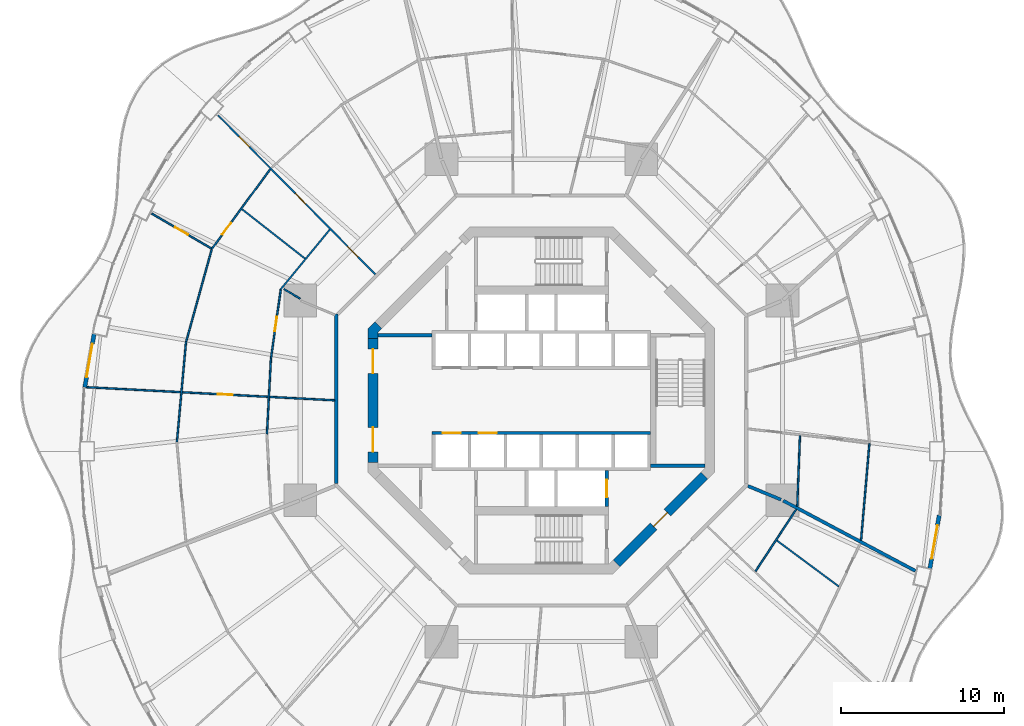
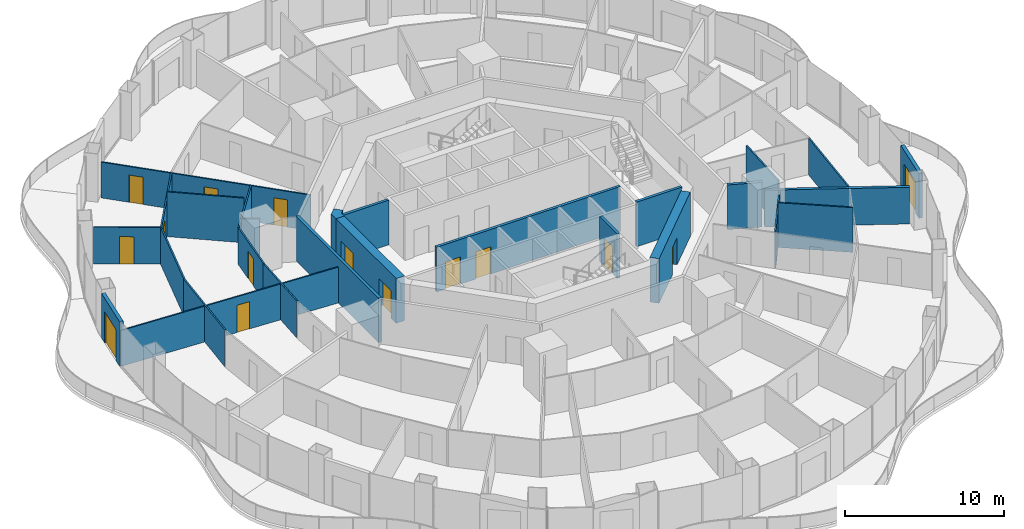
# One storey, part 14 of 20: 27 walls, 15 doors, 15 openings.
"""IFC4 building model written with IfcOpenShell, lengths in metres."""

from ifc_helpers import new_model, si_unit, direction, frame, frame_2d, origin, place, context, subcontext, project, spatial, polyline, rectangle, outline, extrude, material, layer, layer_set, type_object, element, fill, save


model = new_model("IFC4")

# Units and contexts
model_context = context("Model", 3, precision=1e-05, world=origin(), true_north=direction((0.0, 1.0)))
body_context = subcontext(model_context, "Body", "Model", "MODEL_VIEW")
ifc_project = project(units=[si_unit("LENGTHUNIT", "METRE"), si_unit("AREAUNIT", "SQUARE_METRE"), si_unit("VOLUMEUNIT", "CUBIC_METRE"), si_unit("PLANEANGLEUNIT", "RADIAN"), si_unit("MASSUNIT", "GRAM", prefix="KILO")], contexts=[model_context])

# Site, building, storey
site_placement = place(None, origin())
site = spatial("IfcSite", under=ifc_project, at=site_placement, CompositionType="ELEMENT")
building_placement = place(site_placement, origin())
building = spatial("IfcBuilding", under=site, at=building_placement, Name="Nagisa Residences", CompositionType="ELEMENT")
storey_placement = place(building_placement, frame((0.0, 0.0, 152.89990234375)))
storey = spatial("IfcBuildingStorey", under=building, at=storey_placement, Name="L38", CompositionType="ELEMENT", Elevation=152.89990234375)

# Walls
ifc_material_1 = material(Name="Gypsum board on steel studs", Category="steel")
ifc_layer_1 = layer(ifc_material_1, 0.199951171875)
ifc_layer_set_1 = layer_set([ifc_layer_1], Name="Apartment compartment wall EI60 200")
wall_type_1 = type_object("IfcWallType", Name="Apartment compartment wall EI60 200", PredefinedType="PARTITIONING", material=ifc_layer_set_1)
wall_1_placement = place(storey_placement, frame((12.6572265625, -5.24267578125, 0.0), z_axis=(0.0, 0.0, 1.0), x_axis=(0.923846436004, -0.382763324632, 0.0)))
element("IfcWall", 1, at=wall_1_placement, inside=storey, type_object=wall_type_1, Name="wall:L38:u10", PredefinedType="PARTITIONING", context=body_context, shape_type="SweptSolid", body=[
    extrude(rectangle(XDim=2.200439453125, YDim=0.199951171875, at=frame_2d((1.10009765625, 0.0))), origin(), (0.0, 0.0, 1.0), 3.440185546875),
])
wall_2_placement = place(storey_placement, frame((14.826171875, -6.146484375, 0.0), z_axis=(0.0, 0.0, 1.0), x_axis=(0.883012998471, -0.469348532044, 0.0)))
element("IfcWall", 2, at=wall_2_placement, inside=storey, type_object=wall_type_1, Name="wall:L38:u11", PredefinedType="PARTITIONING", context=body_context, shape_type="SweptSolid", body=[
    extrude(rectangle(XDim=9.172119140625, YDim=0.199951171875, at=frame_2d((4.5859375, 0.0))), origin(), (0.0, 0.0, 1.0), 2.828125),
])
ifc_material_2 = material(Name="Gypsum board on steel studs", Category="steel")
ifc_layer_2 = layer(ifc_material_2, 0.199951171875)
ifc_layer_set_2 = layer_set([ifc_layer_2], Name="Apartment entry wall EI60 200")
wall_type_2 = type_object("IfcWallType", Name="Apartment entry wall EI60 200", PredefinedType="PARTITIONING", material=ifc_layer_set_2)
wall_3_placement = place(storey_placement, frame((-12.564697265625, 5.304443359375, 0.0), z_axis=(0.0, 0.0, 1.0), x_axis=(0.0, -1.0, 0.0)))
element("IfcWall", 3, at=wall_3_placement, inside=storey, type_object=wall_type_2, Name="wall:L38:u16", PredefinedType="PARTITIONING", context=body_context, shape_type="SweptSolid", body=[
    extrude(rectangle(XDim=10.408935546875, YDim=0.199951171875, at=frame_2d((5.20458984375, 0.0))), origin(), (0.0, 0.0, 1.0), 3.440185546875),
])
ifc_material_3 = material(Name="Gypsum board on steel studs", Category="steel")
ifc_layer_3 = layer(ifc_material_3, 0.10009765625)
ifc_layer_set_3 = layer_set([ifc_layer_3], Name="Apartment partition 100")
wall_type_3 = type_object("IfcWallType", Name="Apartment partition 100", PredefinedType="PARTITIONING", material=ifc_layer_set_3)
wall_4_placement = place(storey_placement, frame((15.848876953125, -2.158203125, 0.0), z_axis=(0.0, 0.0, 1.0), x_axis=(-0.03838348155, -0.999263082648, 0.0)))
element("IfcWall", 4, at=wall_4_placement, inside=storey, type_object=wall_type_3, Name="wall:L38:u21", PredefinedType="PARTITIONING", context=body_context, shape_type="SweptSolid", body=[
    extrude(rectangle(XDim=4.34423828125, YDim=0.10009765625, at=frame_2d((2.172119140625, 0.0))), origin(), (0.0, 0.0, 1.0), 3.440185546875),
])
wall_5_placement = place(storey_placement, frame((20.10595703125, -2.64208984375, 0.0), z_axis=(0.0, 0.0, 1.0), x_axis=(-0.085694058383, -0.996321498492, 0.0)))
element("IfcWall", 5, at=wall_5_placement, inside=storey, type_object=wall_type_3, Name="wall:L38:u23", PredefinedType="PARTITIONING", context=body_context, shape_type="SweptSolid", body=[
    extrude(rectangle(XDim=5.957275390625, YDim=0.10009765625, at=frame_2d((2.978515625, 0.0))), origin(), (0.0, 0.0, 1.0), 2.828125),
])

# Wall, openings, doors
wall_6_placement = place(storey_placement, frame((-10.181640625, 7.72900390625, 0.0), z_axis=(0.0, 0.0, 1.0), x_axis=(-0.702930219229, 0.7112588185, 0.0)))
wall_6 = element("IfcWall", 6, at=wall_6_placement, inside=storey, type_object=wall_type_3, Name="wall:L38:u47", PredefinedType="PARTITIONING", context=body_context, shape_type="SweptSolid", body=[
    extrude(rectangle(XDim=13.71875, YDim=0.10009765625, at=frame_2d((6.859375, 0.0))), origin(), (0.0, 0.0, 1.0), 2.756103515625),
])
opening_1_placement = place(wall_6_placement, frame((1.50732421875, 0.0, 0.0)))
opening_1 = element("IfcOpeningElement", 7, at=opening_1_placement, cuts=wall_6, Name="Opening L38-U34", PredefinedType="OPENING", context=body_context, shape_type="SweptSolid", body=[
    extrude(rectangle(XDim=0.89990234375, YDim=2.10009765625, at=frame_2d((0.449951171875, 1.050048828125))), frame((0.0, 0.06005859375, 0.0), z_axis=(0.0, -1.0, 0.0), x_axis=(1.0, 0.0, 0.0)), (0.0, 0.0, 1.0), 0.1201171875),
])
opening_2_placement = place(wall_6_placement, frame((6.066650390625, 0.0, 0.0)))
opening_2 = element("IfcOpeningElement", 8, at=opening_2_placement, cuts=wall_6, Name="Opening L38-U36", PredefinedType="OPENING", context=body_context, shape_type="SweptSolid", body=[
    extrude(rectangle(XDim=0.89990234375, YDim=2.10009765625, at=frame_2d((0.449951171875, 1.050048828125))), frame((0.0, 0.06005859375, 0.0), z_axis=(0.0, -1.0, 0.0), x_axis=(1.0, 0.0, 0.0)), (0.0, 0.0, 1.0), 0.1201171875),
])
opening_3_placement = place(wall_6_placement, frame((10.96875, 0.0, 0.0)))
opening_3 = element("IfcOpeningElement", 9, at=opening_3_placement, cuts=wall_6, Name="Opening L38-U38", PredefinedType="OPENING", context=body_context, shape_type="SweptSolid", body=[
    extrude(rectangle(XDim=0.89990234375, YDim=2.10009765625, at=frame_2d((0.449951171875, 1.050048828125))), frame((0.0, 0.06005859375, 0.0), z_axis=(0.0, -1.0, 0.0), x_axis=(1.0, 0.0, 0.0)), (0.0, 0.0, 1.0), 0.1201171875),
])
ifc_material_4 = material(Name="Timber door set", Category="wood")
door_type_1 = type_object("IfcDoorType", Name="Apartment door 900x2100", OperationType="NOTDEFINED", PredefinedType="DOOR", material=ifc_material_4)
door_1_placement = place(opening_1_placement, origin())
door_1 = element("IfcDoor", 10, at=door_1_placement, inside=storey, type_object=door_type_1, Name="Door to family bathroom, Apartment 38E", OperationType="SINGLE_SWING_RIGHT", OverallHeight=2.10009765625, OverallWidth=0.89990234375, PredefinedType="DOOR", context=body_context, shape_type="SweptSolid", body=[
    extrude(rectangle(XDim=0.89990234375, YDim=2.10009765625, at=frame_2d((0.449951171875, 1.050048828125))), frame((0.0, 0.02490234375, 0.0), z_axis=(0.0, -1.0, 0.0), x_axis=(1.0, 0.0, 0.0)), (0.0, 0.0, 1.0), 0.050048828125),
])
fill(opening_1, door_1)
door_2_placement = place(opening_2_placement, origin())
door_2 = element("IfcDoor", 11, at=door_2_placement, inside=storey, type_object=door_type_1, Name="Door to family bathroom, Apartment 38E", OperationType="SINGLE_SWING_RIGHT", OverallHeight=2.10009765625, OverallWidth=0.89990234375, PredefinedType="DOOR", context=body_context, shape_type="SweptSolid", body=[
    extrude(rectangle(XDim=0.89990234375, YDim=2.10009765625, at=frame_2d((0.449951171875, 1.050048828125))), frame((0.0, 0.02490234375, 0.0), z_axis=(0.0, -1.0, 0.0), x_axis=(1.0, 0.0, 0.0)), (0.0, 0.0, 1.0), 0.050048828125),
])
fill(opening_2, door_2)
door_3_placement = place(opening_3_placement, origin())
door_3 = element("IfcDoor", 12, at=door_3_placement, inside=storey, type_object=door_type_1, Name="Door to bedroom, Apartment 38E", OperationType="SINGLE_SWING_RIGHT", OverallHeight=2.10009765625, OverallWidth=0.89990234375, PredefinedType="DOOR", context=body_context, shape_type="SweptSolid", body=[
    extrude(rectangle(XDim=0.89990234375, YDim=2.10009765625, at=frame_2d((0.449951171875, 1.050048828125))), frame((0.0, 0.02490234375, 0.0), z_axis=(0.0, -1.0, 0.0), x_axis=(1.0, 0.0, 0.0)), (0.0, 0.0, 1.0), 0.050048828125),
])
fill(opening_3, door_3)

# Wall
wall_7_placement = place(storey_placement, frame((-12.965087890625, 10.474609375, 0.0), z_axis=(0.0, 0.0, 1.0), x_axis=(-0.634932102074, -0.772567942485, 0.0)))
element("IfcWall", 13, at=wall_7_placement, inside=storey, type_object=wall_type_3, Name="wall:L38:u48", PredefinedType="PARTITIONING", context=body_context, shape_type="SweptSolid", body=[
    extrude(rectangle(XDim=4.7822265625, YDim=0.10009765625, at=frame_2d((2.39111328125, 0.0))), origin(), (0.0, 0.0, 1.0), 2.828125),
])

# Wall, opening, door
wall_8_placement = place(storey_placement, frame((-16.620849609375, 14.17431640625, 0.0), z_axis=(0.0, 0.0, 1.0), x_axis=(-0.590672767272, -0.806911198338, 0.0)))
wall_8 = element("IfcWall", 14, at=wall_8_placement, inside=storey, type_object=wall_type_3, Name="wall:L38:u49", PredefinedType="PARTITIONING", context=body_context, shape_type="SweptSolid", body=[
    extrude(rectangle(XDim=6.09912109375, YDim=0.10009765625, at=frame_2d((3.049560546875, 0.0))), origin(), (0.0, 0.0, 1.0), 2.828125),
])
opening_4_placement = place(wall_8_placement, frame((4.07421875, 0.0, 0.0)))
opening_4 = element("IfcOpeningElement", 15, at=opening_4_placement, cuts=wall_8, Name="Opening L38-U40", PredefinedType="OPENING", context=body_context, shape_type="SweptSolid", body=[
    extrude(rectangle(XDim=0.89990234375, YDim=2.10009765625, at=frame_2d((0.449951171875, 1.050048828125))), frame((0.0, 0.06005859375, 0.0), z_axis=(0.0, -1.0, 0.0), x_axis=(1.0, 0.0, 0.0)), (0.0, 0.0, 1.0), 0.1201171875),
])
door_4_placement = place(opening_4_placement, origin())
door_4 = element("IfcDoor", 16, at=door_4_placement, inside=storey, type_object=door_type_1, Name="Door to dining room, Apartment 38E", OperationType="SINGLE_SWING_RIGHT", OverallHeight=2.10009765625, OverallWidth=0.89990234375, PredefinedType="DOOR", context=body_context, shape_type="SweptSolid", body=[
    extrude(rectangle(XDim=0.89990234375, YDim=2.10009765625, at=frame_2d((0.449951171875, 1.050048828125))), frame((0.0, 0.02490234375, 0.0), z_axis=(0.0, -1.0, 0.0), x_axis=(1.0, 0.0, 0.0)), (0.0, 0.0, 1.0), 0.050048828125),
])
fill(opening_4, door_4)

# Wall
wall_9_placement = place(storey_placement, frame((-14.490966796875, 8.69677734375, 0.0), z_axis=(0.0, 0.0, 1.0), x_axis=(-0.787139479951, 0.616775031193, 0.0)))
element("IfcWall", 17, at=wall_9_placement, inside=storey, type_object=wall_type_3, Name="wall:L38:u50", PredefinedType="PARTITIONING", context=body_context, shape_type="SweptSolid", body=[
    extrude(rectangle(XDim=4.90673828125, YDim=0.10009765625, at=frame_2d((2.453369140625, 0.0))), origin(), (0.0, 0.0, 1.0), 3.440185546875),
])

# Wall, opening, door
wall_10_placement = place(storey_placement, frame((-15.976806640625, 6.769287109375, 0.0), z_axis=(0.0, 0.0, 1.0), x_axis=(-0.140693592547, -0.990053186963, 0.0)))
wall_10 = element("IfcWall", 18, at=wall_10_placement, inside=storey, type_object=wall_type_3, Name="wall:L38:u52", PredefinedType="PARTITIONING", context=body_context, shape_type="SweptSolid", body=[
    extrude(rectangle(XDim=4.22705078125, YDim=0.10009765625, at=frame_2d((2.113525390625, 0.0))), origin(), (0.0, 0.0, 1.0), 2.828125),
])
opening_5_placement = place(wall_10_placement, frame((1.66357421875, 0.0, 0.0)))
opening_5 = element("IfcOpeningElement", 19, at=opening_5_placement, cuts=wall_10, Name="Opening L38-U43", PredefinedType="OPENING", context=body_context, shape_type="SweptSolid", body=[
    extrude(rectangle(XDim=0.89990234375, YDim=2.10009765625, at=frame_2d((0.449951171875, 1.050048828125))), frame((0.0, 0.06005859375, 0.0), z_axis=(0.0, -1.0, 0.0), x_axis=(1.0, 0.0, 0.0)), (0.0, 0.0, 1.0), 0.1201171875),
])
door_5_placement = place(opening_5_placement, origin())
door_5 = element("IfcDoor", 20, at=door_5_placement, inside=storey, type_object=door_type_1, Name="Door to store, Apartment 38E", OperationType="SINGLE_SWING_LEFT", OverallHeight=2.10009765625, OverallWidth=0.89990234375, PredefinedType="DOOR", context=body_context, shape_type="SweptSolid", body=[
    extrude(rectangle(XDim=0.89990234375, YDim=2.10009765625, at=frame_2d((0.449951171875, 1.050048828125))), frame((0.0, 0.02490234375, 0.0), z_axis=(0.0, -1.0, 0.0), x_axis=(1.0, 0.0, 0.0)), (0.0, 0.0, 1.0), 0.050048828125),
])
fill(opening_5, door_5)

wall_11_placement = place(storey_placement, frame((-20.237060546875, 9.318603515625, 0.0), z_axis=(0.0, 0.0, 1.0), x_axis=(-0.862867843769, 0.505429603593, 0.0)))
wall_11 = element("IfcWall", 21, at=wall_11_placement, inside=storey, type_object=wall_type_3, Name="wall:L38:u53", PredefinedType="PARTITIONING", context=body_context, shape_type="SweptSolid", body=[
    extrude(rectangle(XDim=4.215087890625, YDim=0.10009765625, at=frame_2d((2.107421875, 0.0))), origin(), (0.0, 0.0, 1.0), 2.828125),
])
opening_6_placement = place(wall_11_placement, frame((1.65771484375, 0.0, 0.0)))
opening_6 = element("IfcOpeningElement", 22, at=opening_6_placement, cuts=wall_11, Name="Opening L38-U39", PredefinedType="OPENING", context=body_context, shape_type="SweptSolid", body=[
    extrude(rectangle(XDim=0.89990234375, YDim=2.10009765625, at=frame_2d((0.449951171875, 1.050048828125))), frame((0.0, 0.06005859375, 0.0), z_axis=(0.0, -1.0, 0.0), x_axis=(1.0, 0.0, 0.0)), (0.0, 0.0, 1.0), 0.1201171875),
])
door_6_placement = place(opening_6_placement, origin())
door_6 = element("IfcDoor", 23, at=door_6_placement, inside=storey, type_object=door_type_1, Name="Door to master bedroom, Apartment 38E", OperationType="SINGLE_SWING_LEFT", OverallHeight=2.10009765625, OverallWidth=0.89990234375, PredefinedType="DOOR", context=body_context, shape_type="SweptSolid", body=[
    extrude(rectangle(XDim=0.89990234375, YDim=2.10009765625, at=frame_2d((0.449951171875, 1.050048828125))), frame((0.0, 0.02490234375, 0.0), z_axis=(0.0, -1.0, 0.0), x_axis=(1.0, 0.0, 0.0)), (0.0, 0.0, 1.0), 0.050048828125),
])
fill(opening_6, door_6)

# Walls
wall_12_placement = place(storey_placement, frame((-20.207275390625, 9.2451171875, 0.0), z_axis=(0.0, 0.0, 1.0), x_axis=(-0.267400122135, -0.963585582438, 0.0)))
element("IfcWall", 24, at=wall_12_placement, inside=storey, type_object=wall_type_3, Name="wall:L38:u54", PredefinedType="PARTITIONING", context=body_context, shape_type="SweptSolid", body=[
    extrude(rectangle(XDim=5.837890625, YDim=0.10009765625, at=frame_2d((2.9189453125, 0.0))), origin(), (0.0, 0.0, 1.0), 2.828125),
])
wall_13_placement = place(storey_placement, frame((-16.575927734375, 2.584716796875, 0.0), z_axis=(0.0, 0.0, 1.0), x_axis=(-0.052509224895, -0.998620439056, 0.0)))
element("IfcWall", 25, at=wall_13_placement, inside=storey, type_object=wall_type_3, Name="wall:L38:u55", PredefinedType="PARTITIONING", context=body_context, shape_type="SweptSolid", body=[
    extrude(rectangle(XDim=4.6494140625, YDim=0.10009765625, at=frame_2d((2.32470703125, 0.0))), origin(), (0.0, 0.0, 1.0), 2.828125),
])
wall_14_placement = place(storey_placement, frame((-21.777099609375, 3.621337890625, 0.0), z_axis=(0.0, 0.0, 1.0), x_axis=(-0.090606877484, -0.995886737412, 0.0)))
element("IfcWall", 26, at=wall_14_placement, inside=storey, type_object=wall_type_3, Name="wall:L38:u56", PredefinedType="PARTITIONING", context=body_context, shape_type="SweptSolid", body=[
    extrude(rectangle(XDim=6.189208984375, YDim=0.10009765625, at=frame_2d((3.0947265625, 0.0))), origin(), (0.0, 0.0, 1.0), 2.828125),
])

# Wall, opening, door
wall_15_placement = place(storey_placement, frame((-12.66455078125, 0.00537109375, 0.0), z_axis=(0.0, 0.0, 1.0), x_axis=(-0.998599229025, 0.052911055468, 0.0)))
wall_15 = element("IfcWall", 27, at=wall_15_placement, inside=storey, type_object=wall_type_3, Name="wall:L38:u57", PredefinedType="PARTITIONING", context=body_context, shape_type="SweptSolid", body=[
    extrude(rectangle(XDim=15.42529296875, YDim=0.10009765625, at=frame_2d((7.712646484375, 0.0))), origin(), (0.0, 0.0, 1.0), 2.756103515625),
])
opening_7_placement = place(wall_15_placement, frame((6.275634765625, 0.0, 0.0)))
opening_7 = element("IfcOpeningElement", 28, at=opening_7_placement, cuts=wall_15, Name="Opening L38-U41", PredefinedType="OPENING", context=body_context, shape_type="SweptSolid", body=[
    extrude(rectangle(XDim=0.89990234375, YDim=2.10009765625, at=frame_2d((0.449951171875, 1.050048828125))), frame((0.0, 0.06005859375, 0.0), z_axis=(0.0, -1.0, 0.0), x_axis=(1.0, 0.0, 0.0)), (0.0, 0.0, 1.0), 0.1201171875),
])
door_7_placement = place(opening_7_placement, origin())
door_7 = element("IfcDoor", 29, at=door_7_placement, inside=storey, type_object=door_type_1, Name="Door to kitchen, Apartment 38E", OperationType="SINGLE_SWING_LEFT", OverallHeight=2.10009765625, OverallWidth=0.89990234375, PredefinedType="DOOR", context=body_context, shape_type="SweptSolid", body=[
    extrude(rectangle(XDim=0.89990234375, YDim=2.10009765625, at=frame_2d((0.449951171875, 1.050048828125))), frame((0.0, 0.02490234375, 0.0), z_axis=(0.0, -1.0, 0.0), x_axis=(1.0, 0.0, 0.0)), (0.0, 0.0, 1.0), 0.050048828125),
])
fill(opening_7, door_7)

# Walls
wall_16_placement = place(storey_placement, frame((13.12744140625, -10.466552734375, 0.0), z_axis=(0.0, 0.0, 1.0), x_axis=(0.550591551401, 0.83477478611, 0.0)))
element("IfcWall", 30, at=wall_16_placement, inside=storey, type_object=wall_type_3, Name="wall:L38:u88", PredefinedType="PARTITIONING", context=body_context, shape_type="SweptSolid", body=[
    extrude(rectangle(XDim=4.532470703125, YDim=0.10009765625, at=frame_2d((2.26611328125, 0.0))), origin(), (0.0, 0.0, 1.0), 2.828125),
])
wall_17_placement = place(storey_placement, frame((14.42919921875, -8.58349609375, 0.0), z_axis=(0.0, 0.0, 1.0), x_axis=(0.803162355549, -0.595760212358, 0.0)))
element("IfcWall", 31, at=wall_17_placement, inside=storey, type_object=wall_type_3, Name="wall:L38:u90", PredefinedType="PARTITIONING", context=body_context, shape_type="SweptSolid", body=[
    extrude(rectangle(XDim=4.7451171875, YDim=0.10009765625, at=frame_2d((2.37255859375, 0.0))), origin(), (0.0, 0.0, 1.0), 3.440185546875),
])
wall_18_placement = place(storey_placement, frame((-14.772216796875, 6.233154296875, 0.0), z_axis=(0.0, 0.0, 1.0), x_axis=(-0.862824428323, 0.50550371501, 0.0)))
element("IfcWall", 32, at=wall_18_placement, inside=storey, type_object=wall_type_3, Name="wall:L38:u91", PredefinedType="PARTITIONING", context=body_context, shape_type="SweptSolid", body=[
    extrude(rectangle(XDim=1.16162109375, YDim=0.10009765625, at=frame_2d((0.580810546875, 0.0))), origin(), (0.0, 0.0, 1.0), 3.440185546875),
])

# Wall, opening, door
ifc_material_5 = material(Name="Precast concrete C40/50", Category="concrete")
ifc_layer_4 = layer(ifc_material_5, 0.25)
ifc_layer_set_4 = layer_set([ifc_layer_4], Name="BALCONY DOOR WALL 250")
wall_type_4 = type_object("IfcWallType", Name="BALCONY DOOR WALL 250", PredefinedType="SOLIDWALL", material=ifc_layer_set_4)
wall_19_placement = place(storey_placement, frame((-27.98486328125, 0.802001953125, 0.0), z_axis=(0.0, 0.0, 1.0), x_axis=(0.172163521006, 0.985068384446, 0.0)))
wall_19 = element("IfcWall", 33, at=wall_19_placement, inside=storey, type_object=wall_type_4, Name="wall:L38:bay22", PredefinedType="SOLIDWALL", context=body_context, shape_type="SweptSolid", body=[
    extrude(rectangle(XDim=3.33251953125, YDim=0.25, at=frame_2d((1.666259765625, 0.0))), origin(), (0.0, 0.0, 1.0), 3.440185546875),
])
opening_8_placement = place(wall_19_placement, frame((0.6162109375, 0.0, 0.0)))
opening_8 = element("IfcOpeningElement", 34, at=opening_8_placement, cuts=wall_19, Name="Opening BD-L38-08", PredefinedType="OPENING", context=body_context, shape_type="SweptSolid", body=[
    extrude(rectangle(XDim=2.10009765625, YDim=2.39990234375, at=frame_2d((1.050048828125, 1.199951171875))), frame((0.0, 0.135009765625, 0.0), z_axis=(0.0, -1.0, 0.0), x_axis=(1.0, 0.0, 0.0)), (0.0, 0.0, 1.0), 0.27001953125),
])
ifc_material_6 = material(Name="Aluminium and clear glass", Category="aluminium")
door_type_2 = type_object("IfcDoorType", Name="BALCONY SLIDING DOOR 2100x2400", OperationType="SLIDING_TO_LEFT", PredefinedType="DOOR", material=ifc_material_6)
door_8_placement = place(opening_8_placement, origin())
door_8 = element("IfcDoor", 35, at=door_8_placement, inside=storey, type_object=door_type_2, Name="door:L38:bay22", OperationType="SLIDING_TO_LEFT", OverallHeight=2.39990234375, OverallWidth=2.10009765625, PredefinedType="DOOR", context=body_context, shape_type="SweptSolid", body=[
    extrude(rectangle(XDim=2.10009765625, YDim=2.39990234375, at=frame_2d((1.050048828125, 1.199951171875))), frame((0.0, 0.02490234375, 0.0), z_axis=(0.0, -1.0, 0.0), x_axis=(1.0, 0.0, 0.0)), (0.0, 0.0, 1.0), 0.050048828125),
])
fill(opening_8, door_8)

wall_20_placement = place(storey_placement, frame((24.384765625, -7.037353515625, 0.0), z_axis=(0.0, 0.0, 1.0), x_axis=(-0.172163521006, -0.985068384446, 0.0)))
wall_20 = element("IfcWall", 36, at=wall_20_placement, inside=storey, type_object=wall_type_4, Name="wall:L38:bay46", PredefinedType="SOLIDWALL", context=body_context, shape_type="SweptSolid", body=[
    extrude(rectangle(XDim=3.33251953125, YDim=0.25, at=frame_2d((1.666259765625, 0.0))), origin(), (0.0, 0.0, 1.0), 3.440185546875),
])
opening_9_placement = place(wall_20_placement, frame((0.6162109375, 0.0, 0.0)))
opening_9 = element("IfcOpeningElement", 37, at=opening_9_placement, cuts=wall_20, Name="Opening BD-L38-16", PredefinedType="OPENING", context=body_context, shape_type="SweptSolid", body=[
    extrude(rectangle(XDim=2.10009765625, YDim=2.39990234375, at=frame_2d((1.050048828125, 1.199951171875))), frame((0.0, 0.135009765625, 0.0), z_axis=(0.0, -1.0, 0.0), x_axis=(1.0, 0.0, 0.0)), (0.0, 0.0, 1.0), 0.27001953125),
])
door_9_placement = place(opening_9_placement, origin())
door_9 = element("IfcDoor", 38, at=door_9_placement, inside=storey, type_object=door_type_2, Name="door:L38:bay46", OperationType="SLIDING_TO_LEFT", OverallHeight=2.39990234375, OverallWidth=2.10009765625, PredefinedType="DOOR", context=body_context, shape_type="SweptSolid", body=[
    extrude(rectangle(XDim=2.10009765625, YDim=2.39990234375, at=frame_2d((1.050048828125, 1.199951171875))), frame((0.0, 0.02490234375, 0.0), z_axis=(0.0, -1.0, 0.0), x_axis=(1.0, 0.0, 0.0)), (0.0, 0.0, 1.0), 0.050048828125),
])
fill(opening_9, door_9)

# Wall
ifc_material_7 = material(Name="Gypsum board on steel studs", Category="steel")
ifc_layer_5 = layer(ifc_material_7, 0.199951171875)
ifc_layer_set_5 = layer_set([ifc_layer_5], Name="Core partition 200")
wall_type_5 = type_object("IfcWallType", Name="Core partition 200", PredefinedType="PARTITIONING", material=ifc_layer_set_5)
wall_21_placement = place(storey_placement, frame((-10.024658203125, 4.0, 0.0), z_axis=(0.0, 0.0, 1.0), x_axis=(1.0, 0.0, 0.0)))
element("IfcWall", 39, at=wall_21_placement, inside=storey, type_object=wall_type_5, Name="wall:L38:PNW", PredefinedType="PARTITIONING", context=body_context, shape_type="SweptSolid", body=[
    extrude(rectangle(XDim=3.32470703125, YDim=0.199951171875, at=frame_2d((1.662353515625, 0.0))), origin(), (0.0, 0.0, 1.0), 3.440185546875),
])

# Wall, openings, doors
ifc_material_8 = material(Name="Concrete C60", Category="concrete")
ifc_layer_6 = layer(ifc_material_8, 0.60009765625)
ifc_layer_set_6 = layer_set([ifc_layer_6], Name="Core shear wall 600")
wall_type_6 = type_object("IfcWallType", Name="Core shear wall 600", PredefinedType="SHEAR", material=ifc_layer_set_6)
wall_22_placement = place(storey_placement, frame((-10.32470703125, 3.80078125, 0.0), z_axis=(0.0, 0.0, 1.0), x_axis=(0.0, -1.0, 0.0)))
wall_22 = element("IfcWall", 40, at=wall_22_placement, inside=storey, type_object=wall_type_6, Name="wall:L38:core:flat4", PredefinedType="SHEAR", context=body_context, shape_type="SweptSolid", body=[
    extrude(rectangle(XDim=7.6015625, YDim=0.60009765625, at=frame_2d((3.80078125, 0.0))), origin(), (0.0, 0.0, 1.0), 3.440185546875),
])
opening_10_placement = place(wall_22_placement, frame((0.65087890625, 0.0, 0.0)))
opening_10 = element("IfcOpeningElement", 41, at=opening_10_placement, cuts=wall_22, Name="Opening L38-C17", PredefinedType="OPENING", context=body_context, shape_type="SweptSolid", body=[
    extrude(rectangle(XDim=1.5, YDim=2.10009765625, at=frame_2d((0.75, 1.050048828125))), frame((0.0, 0.31005859375, 0.0), z_axis=(0.0, -1.0, 0.0), x_axis=(1.0, 0.0, 0.0)), (0.0, 0.0, 1.0), 0.6201171875),
])
opening_11_placement = place(wall_22_placement, frame((5.450927734375, 0.0, 0.0)))
opening_11 = element("IfcOpeningElement", 42, at=opening_11_placement, cuts=wall_22, Name="Opening L38-C18", PredefinedType="OPENING", context=body_context, shape_type="SweptSolid", body=[
    extrude(rectangle(XDim=1.5, YDim=2.10009765625, at=frame_2d((0.75, 1.050048828125))), frame((0.0, 0.31005859375, 0.0), z_axis=(0.0, -1.0, 0.0), x_axis=(1.0, 0.0, 0.0)), (0.0, 0.0, 1.0), 0.6201171875),
])
ifc_material_9 = material(Name="Steel fire door", Category="steel")
door_type_3 = type_object("IfcDoorType", Name="Fire door EI60 1500x2100 double door single swing", OperationType="DOUBLE_DOOR_SINGLE_SWING", PredefinedType="DOOR", material=ifc_material_9)
door_10_placement = place(opening_10_placement, origin())
door_10 = element("IfcDoor", 43, at=door_10_placement, inside=storey, type_object=door_type_3, Name="Lift lobby door L38 1", OperationType="DOUBLE_DOOR_SINGLE_SWING", OverallHeight=2.10009765625, OverallWidth=1.5, PredefinedType="DOOR", context=body_context, shape_type="SweptSolid", body=[
    extrude(rectangle(XDim=1.5, YDim=2.10009765625, at=frame_2d((0.75, 1.050048828125))), frame((0.0, 0.02490234375, 0.0), z_axis=(0.0, -1.0, 0.0), x_axis=(1.0, 0.0, 0.0)), (0.0, 0.0, 1.0), 0.050048828125),
])
fill(opening_10, door_10)
door_11_placement = place(opening_11_placement, origin())
door_11 = element("IfcDoor", 44, at=door_11_placement, inside=storey, type_object=door_type_3, Name="Lift lobby door L38 2", OperationType="DOUBLE_DOOR_SINGLE_SWING", OverallHeight=2.10009765625, OverallWidth=1.5, PredefinedType="DOOR", context=body_context, shape_type="SweptSolid", body=[
    extrude(rectangle(XDim=1.5, YDim=2.10009765625, at=frame_2d((0.75, 1.050048828125))), frame((0.0, 0.02490234375, 0.0), z_axis=(0.0, -1.0, 0.0), x_axis=(1.0, 0.0, 0.0)), (0.0, 0.0, 1.0), 0.050048828125),
])
fill(opening_11, door_11)

# Wall, opening, door
wall_23_placement = place(storey_placement, frame((4.613037109375, -9.98828125, 0.0), z_axis=(0.0, 0.0, 1.0), x_axis=(0.707106781187, 0.707106781187, 0.0)))
wall_23 = element("IfcWall", 45, at=wall_23_placement, inside=storey, type_object=wall_type_6, Name="wall:L38:core:flat7", PredefinedType="SHEAR", context=body_context, shape_type="SweptSolid", body=[
    extrude(rectangle(XDim=7.601806640625, YDim=0.60009765625, at=frame_2d((3.80078125, 0.0))), origin(), (0.0, 0.0, 1.0), 3.440185546875),
])
opening_12_placement = place(wall_23_placement, frame((3.200927734375, 0.0, 0.0)))
opening_12 = element("IfcOpeningElement", 46, at=opening_12_placement, cuts=wall_23, Name="Opening L38-C16", PredefinedType="OPENING", context=body_context, shape_type="SweptSolid", body=[
    extrude(rectangle(XDim=1.199951171875, YDim=2.10009765625, at=frame_2d((0.60009765625, 1.050048828125))), frame((0.0, 0.31005859375, 0.0), z_axis=(0.0, -1.0, 0.0), x_axis=(1.0, 0.0, 0.0)), (0.0, 0.0, 1.0), 0.6201171875),
])
ifc_material_10 = material(Name="Steel fire door", Category="steel")
door_type_4 = type_object("IfcDoorType", Name="Fire door EI60 1200x2100 single swing", OperationType="NOTDEFINED", PredefinedType="DOOR", material=ifc_material_10)
door_12_placement = place(opening_12_placement, origin())
door_12 = element("IfcDoor", 47, at=door_12_placement, inside=storey, type_object=door_type_4, Name="Firefighting lobby 2 door L38", OperationType="SINGLE_SWING_LEFT", OverallHeight=2.10009765625, OverallWidth=1.199951171875, PredefinedType="DOOR", context=body_context, shape_type="SweptSolid", body=[
    extrude(rectangle(XDim=1.199951171875, YDim=2.10009765625, at=frame_2d((0.60009765625, 1.050048828125))), frame((0.0, 0.02490234375, 0.0), z_axis=(0.0, -1.0, 0.0), x_axis=(1.0, 0.0, 0.0)), (0.0, 0.0, 1.0), 0.050048828125),
])
fill(opening_12, door_12)

# Wall
wall_24_placement = place(storey_placement, origin())
element("IfcWall", 48, at=wall_24_placement, inside=storey, type_object=wall_type_6, Name="wall:L38:core:pier3", PredefinedType="SHEAR", context=body_context, shape_type="SweptSolid", body=[
    extrude(outline(polyline([(-10.200439453125, 4.8251953125), (-9.776123046875, 4.40087890625), (-10.024658203125, 4.15234375), (-10.024658203125, 3.80078125), (-10.62451171875, 3.80078125), (-10.62451171875, 4.40087890625), (-10.200439453125, 4.8251953125)])), origin(), (0.0, 0.0, 1.0), 3.440185546875),
])

# Wall, opening, door
ifc_material_11 = material(Name="Concrete C60", Category="concrete")
ifc_layer_7 = layer(ifc_material_11, 0.199951171875)
ifc_layer_set_7 = layer_set([ifc_layer_7], Name="Lift shaft wall 200")
wall_type_7 = type_object("IfcWallType", Name="Lift shaft wall 200", PredefinedType="SOLIDWALL", material=ifc_layer_set_7)
wall_25_placement = place(storey_placement, frame((4.0, -6.5, 0.0), z_axis=(0.0, 0.0, 1.0), x_axis=(0.0, 1.0, 0.0)))
wall_25 = element("IfcWall", 49, at=wall_25_placement, inside=storey, type_object=wall_type_7, Name="wall:L38:Sb3", PredefinedType="SOLIDWALL", context=body_context, shape_type="SweptSolid", body=[
    extrude(rectangle(XDim=2.199951171875, YDim=0.199951171875, at=frame_2d((1.10009765625, 0.0))), origin(), (0.0, 0.0, 1.0), 3.440185546875),
])
opening_13_placement = place(wall_25_placement, frame((0.550048828125, 0.0, 0.0)))
opening_13 = element("IfcOpeningElement", 50, at=opening_13_placement, cuts=wall_25, Name="Opening L38-C07", PredefinedType="OPENING", context=body_context, shape_type="SweptSolid", body=[
    extrude(rectangle(XDim=1.10009765625, YDim=2.10009765625, at=frame_2d((0.550048828125, 1.050048828125))), frame((0.0, 0.10986328125, 0.0), z_axis=(0.0, -1.0, 0.0), x_axis=(1.0, 0.0, 0.0)), (0.0, 0.0, 1.0), 0.219970703125),
])
ifc_material_12 = material(Name="Stainless steel", Category="steel")
door_type_5 = type_object("IfcDoorType", Name="Lift landing door 1100x2100", OperationType="DOUBLE_DOOR_SLIDING", PredefinedType="DOOR", material=ifc_material_12)
door_13_placement = place(opening_13_placement, origin())
door_13 = element("IfcDoor", 51, at=door_13_placement, inside=storey, type_object=door_type_5, Name="Landing door FL2 L38", OperationType="DOUBLE_DOOR_SLIDING", OverallHeight=2.10009765625, OverallWidth=1.10009765625, PredefinedType="DOOR", context=body_context, shape_type="SweptSolid", body=[
    extrude(rectangle(XDim=1.10009765625, YDim=2.10009765625, at=frame_2d((0.550048828125, 1.050048828125))), frame((0.0, 0.02490234375, 0.0), z_axis=(0.0, -1.0, 0.0), x_axis=(1.0, 0.0, 0.0)), (0.0, 0.0, 1.0), 0.050048828125),
])
fill(opening_13, door_13)

# Wall, openings, doors
wall_26_placement = place(storey_placement, frame((-6.699951171875, -2.0, 0.0), z_axis=(0.0, 0.0, 1.0), x_axis=(1.0, 0.0, 0.0)))
wall_26 = element("IfcWall", 52, at=wall_26_placement, inside=storey, type_object=wall_type_7, Name="wall:L38:Sfront", PredefinedType="SOLIDWALL", context=body_context, shape_type="SweptSolid", body=[
    extrude(rectangle(XDim=13.39990234375, YDim=0.199951171875, at=frame_2d((6.699951171875, 0.0))), origin(), (0.0, 0.0, 1.0), 3.440185546875),
])
opening_14_placement = place(wall_26_placement, frame((0.64990234375, 0.0, 0.0)))
opening_14 = element("IfcOpeningElement", 53, at=opening_14_placement, cuts=wall_26, Name="Opening L38-C04", PredefinedType="OPENING", context=body_context, shape_type="SweptSolid", body=[
    extrude(rectangle(XDim=1.10009765625, YDim=2.10009765625, at=frame_2d((0.550048828125, 1.050048828125))), frame((0.0, 0.10986328125, 0.0), z_axis=(0.0, -1.0, 0.0), x_axis=(1.0, 0.0, 0.0)), (0.0, 0.0, 1.0), 0.219970703125),
])
opening_15_placement = place(wall_26_placement, frame((2.85009765625, 0.0, 0.0)))
opening_15 = element("IfcOpeningElement", 54, at=opening_15_placement, cuts=wall_26, Name="Opening L38-C05", PredefinedType="OPENING", context=body_context, shape_type="SweptSolid", body=[
    extrude(rectangle(XDim=1.10009765625, YDim=2.10009765625, at=frame_2d((0.550048828125, 1.050048828125))), frame((0.0, 0.10986328125, 0.0), z_axis=(0.0, -1.0, 0.0), x_axis=(1.0, 0.0, 0.0)), (0.0, 0.0, 1.0), 0.219970703125),
])
door_14_placement = place(opening_14_placement, origin())
door_14 = element("IfcDoor", 55, at=door_14_placement, inside=storey, type_object=door_type_5, Name="Landing door A4 L38", OperationType="DOUBLE_DOOR_SLIDING", OverallHeight=2.10009765625, OverallWidth=1.10009765625, PredefinedType="DOOR", context=body_context, shape_type="SweptSolid", body=[
    extrude(rectangle(XDim=1.10009765625, YDim=2.10009765625, at=frame_2d((0.550048828125, 1.050048828125))), frame((0.0, 0.02490234375, 0.0), z_axis=(0.0, -1.0, 0.0), x_axis=(1.0, 0.0, 0.0)), (0.0, 0.0, 1.0), 0.050048828125),
])
fill(opening_14, door_14)
door_15_placement = place(opening_15_placement, origin())
door_15 = element("IfcDoor", 56, at=door_15_placement, inside=storey, type_object=door_type_5, Name="Landing door A5 L38", OperationType="DOUBLE_DOOR_SLIDING", OverallHeight=2.10009765625, OverallWidth=1.10009765625, PredefinedType="DOOR", context=body_context, shape_type="SweptSolid", body=[
    extrude(rectangle(XDim=1.10009765625, YDim=2.10009765625, at=frame_2d((0.550048828125, 1.050048828125))), frame((0.0, 0.02490234375, 0.0), z_axis=(0.0, -1.0, 0.0), x_axis=(1.0, 0.0, 0.0)), (0.0, 0.0, 1.0), 0.050048828125),
])
fill(opening_15, door_15)

# Wall
ifc_material_13 = material(Name="Concrete C60", Category="concrete")
ifc_layer_8 = layer(ifc_material_13, 0.199951171875)
ifc_layer_set_8 = layer_set([ifc_layer_8], Name="Stair enclosure wall 200")
wall_type_8 = type_object("IfcWallType", Name="Stair enclosure wall 200", PredefinedType="SOLIDWALL", material=ifc_layer_set_8)
wall_27_placement = place(storey_placement, origin())
element("IfcWall", 57, at=wall_27_placement, inside=storey, type_object=wall_type_8, Name="wall:L38:SE_s", PredefinedType="SOLIDWALL", context=body_context, shape_type="SweptSolid", body=[
    extrude(outline(polyline([(10.024658203125, -4.10009765625), (6.699951171875, -4.10009765625), (6.699951171875, -3.89990234375), (10.024658203125, -3.89990234375), (10.024658203125, -4.10009765625)])), origin(), (0.0, 0.0, 1.0), 3.440185546875),
])

save(model, "model.ifc")
